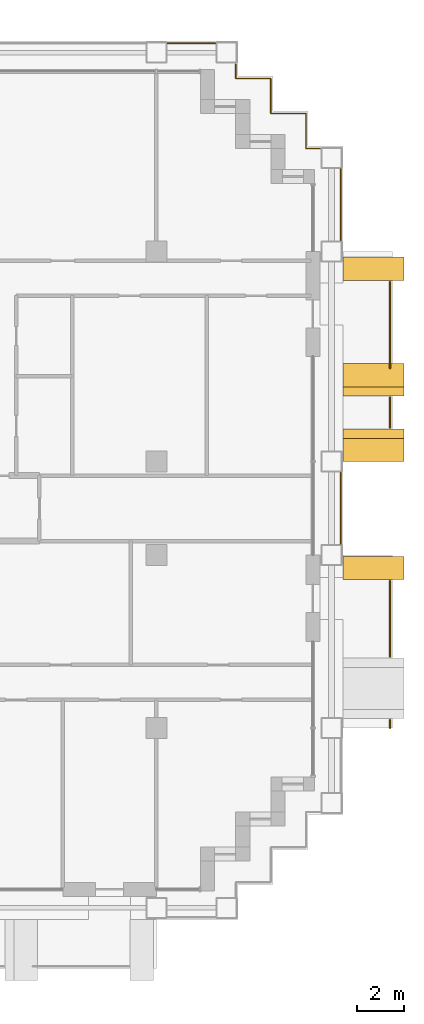
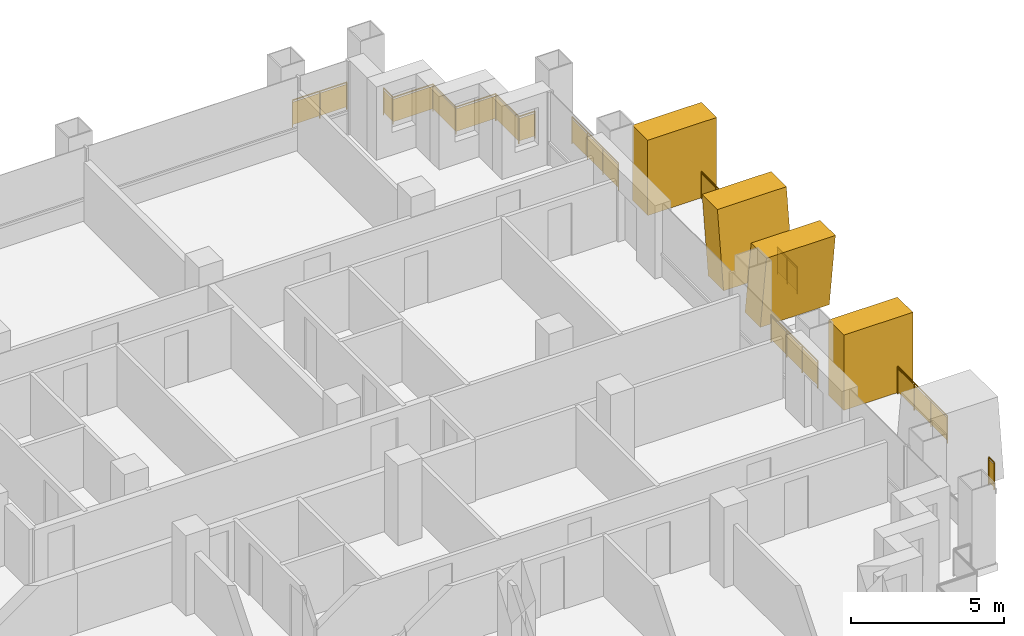
# One storey, part 19 of 19: 8 railings, 4 shading devices.
"""IFC4 building model written with IfcOpenShell, lengths in metres."""

from ifc_helpers import new_model, si_unit, direction, frame, origin, origin_2d, place, context, subcontext, project, spatial, polyline, rectangle, circle, outline, extrude, material, layer, layer_set, type_object, element, save


model = new_model("IFC4")

# Units and contexts
model_context = context("Model", 3, precision=1e-05, world=origin(), true_north=direction((0.0, 1.0)))
body_context = subcontext(model_context, "Body", "Model", "MODEL_VIEW")
ifc_project = project(units=[si_unit("LENGTHUNIT", "METRE"), si_unit("AREAUNIT", "SQUARE_METRE"), si_unit("VOLUMEUNIT", "CUBIC_METRE"), si_unit("PLANEANGLEUNIT", "RADIAN"), si_unit("MASSUNIT", "GRAM", prefix="KILO")], contexts=[model_context])

# Site, building, storey
site_placement = place(None, origin())
site = spatial("IfcSite", under=ifc_project, at=site_placement, CompositionType="ELEMENT")
building_placement = place(site_placement, origin())
building = spatial("IfcBuilding", under=site, at=building_placement, Name="Vidyagriha Tower", CompositionType="ELEMENT")
storey_placement = place(building_placement, frame((0.0, 0.0, 99.89990234375)))
storey = spatial("IfcBuildingStorey", under=building, at=storey_placement, Name="L26", CompositionType="ELEMENT", Elevation=99.89990234375)

# Railings
ifc_material_1 = material(Name="Steel ASTM A500 Grade C black painted", Category="steel")
railing_type_1 = type_object("IfcRailingType", Name="Balcony guard 1100", PredefinedType="BALUSTRADE", material=ifc_material_1)
railing_1_placement = place(storey_placement, frame((44.0, -9.39990234375, 0.0)))
element("IfcRailing", 1, at=railing_1_placement, inside=storey, type_object=railing_type_1, Name="Balcony guard L26 R30.1-1", PredefinedType="BALUSTRADE", context=body_context, shape_type="SweptSolid", body=[
    extrude(circle(Radius=0.02490234375, at=origin_2d()), frame((0.0, 0.0, 1.0751953125), z_axis=(0.0, 1.0, 0.0), x_axis=(-1.0, 0.0, 0.0)), (0.0, 0.0, 1.0), 0.349853515625),
    extrude(circle(Radius=0.02001953125, at=origin_2d()), origin(), (0.0, 0.0, 1.0), 1.050048828125),
    extrude(circle(Radius=0.02001953125, at=origin_2d()), frame((0.0, 0.349853515625, 0.0)), (0.0, 0.0, 1.0), 1.050048828125),
    extrude(rectangle(XDim=0.010009765625, YDim=0.900146484375, at=origin_2d()), frame((0.0, 0.0, 0.550048828125), z_axis=(0.0, 1.0, 0.0), x_axis=(-1.0, 0.0, 0.0)), (0.0, 0.0, 1.0), 0.349853515625),
])
railing_2_placement = place(storey_placement, frame((44.0, -6.35009765625, 0.0)))
element("IfcRailing", 2, at=railing_2_placement, inside=storey, type_object=railing_type_1, Name="Balcony guard L26 R30.1-2", PredefinedType="BALUSTRADE", context=body_context, shape_type="SweptSolid", body=[
    extrude(circle(Radius=0.02490234375, at=origin_2d()), frame((0.0, 0.0, 1.0751953125), z_axis=(0.0, 1.0, 0.0), x_axis=(-1.0, 0.0, 0.0)), (0.0, 0.0, 1.0), 3.25),
    extrude(circle(Radius=0.02001953125, at=origin_2d()), origin(), (0.0, 0.0, 1.0), 1.050048828125),
    extrude(circle(Radius=0.02001953125, at=origin_2d()), frame((0.0, 1.083251953125, 0.0)), (0.0, 0.0, 1.0), 1.050048828125),
    extrude(circle(Radius=0.02001953125, at=origin_2d()), frame((0.0, 2.166748046875, 0.0)), (0.0, 0.0, 1.0), 1.050048828125),
    extrude(circle(Radius=0.02001953125, at=origin_2d()), frame((0.0, 3.25, 0.0)), (0.0, 0.0, 1.0), 1.050048828125),
    extrude(rectangle(XDim=0.010009765625, YDim=0.900146484375, at=origin_2d()), frame((0.0, 0.0, 0.550048828125), z_axis=(0.0, 1.0, 0.0), x_axis=(-1.0, 0.0, 0.0)), (0.0, 0.0, 1.0), 3.25),
])
railing_3_placement = place(storey_placement, frame((44.0, 3.449951171875, 0.0)))
element("IfcRailing", 3, at=railing_3_placement, inside=storey, type_object=railing_type_1, Name="Balcony guard L26 R30.2-1", PredefinedType="BALUSTRADE", context=body_context, shape_type="SweptSolid", body=[
    extrude(circle(Radius=0.02490234375, at=origin_2d()), frame((0.0, 0.0, 1.0751953125), z_axis=(0.0, 1.0, 0.0), x_axis=(-1.0, 0.0, 0.0)), (0.0, 0.0, 1.0), 1.300048828125),
    extrude(circle(Radius=0.02001953125, at=origin_2d()), origin(), (0.0, 0.0, 1.0), 1.050048828125),
    extrude(circle(Radius=0.02001953125, at=origin_2d()), frame((0.0, 0.64990234375, 0.0)), (0.0, 0.0, 1.0), 1.050048828125),
    extrude(circle(Radius=0.02001953125, at=origin_2d()), frame((0.0, 1.300048828125, 0.0)), (0.0, 0.0, 1.0), 1.050048828125),
    extrude(rectangle(XDim=0.010009765625, YDim=0.900146484375, at=origin_2d()), frame((0.0, 0.0, 0.550048828125), z_axis=(0.0, 1.0, 0.0), x_axis=(-1.0, 0.0, 0.0)), (0.0, 0.0, 1.0), 1.300048828125),
])
railing_4_placement = place(storey_placement, frame((44.0, 6.00341796875, 0.0)))
element("IfcRailing", 4, at=railing_4_placement, inside=storey, type_object=railing_type_1, Name="Balcony guard L26 R30.2-2", PredefinedType="BALUSTRADE", context=body_context, shape_type="SweptSolid", body=[
    extrude(circle(Radius=0.02490234375, at=origin_2d()), frame((0.0, 0.0, 1.0751953125), z_axis=(0.0, 1.0, 0.0), x_axis=(-1.0, 0.0, 0.0)), (0.0, 0.0, 1.0), 3.696533203125),
    extrude(circle(Radius=0.02001953125, at=origin_2d()), origin(), (0.0, 0.0, 1.0), 1.050048828125),
    extrude(circle(Radius=0.02001953125, at=origin_2d()), frame((0.0, 0.924072265625, 0.0)), (0.0, 0.0, 1.0), 1.050048828125),
    extrude(circle(Radius=0.02001953125, at=origin_2d()), frame((0.0, 1.84814453125, 0.0)), (0.0, 0.0, 1.0), 1.050048828125),
    extrude(circle(Radius=0.02001953125, at=origin_2d()), frame((0.0, 2.7724609375, 0.0)), (0.0, 0.0, 1.0), 1.050048828125),
    extrude(circle(Radius=0.02001953125, at=origin_2d()), frame((0.0, 3.696533203125, 0.0)), (0.0, 0.0, 1.0), 1.050048828125),
    extrude(rectangle(XDim=0.010009765625, YDim=0.900146484375, at=origin_2d()), frame((0.0, 0.0, 0.550048828125), z_axis=(0.0, 1.0, 0.0), x_axis=(-1.0, 0.0, 0.0)), (0.0, 0.0, 1.0), 3.696533203125),
])

# Shading devices
ifc_material_2 = material(Name="Precast concrete C40/50 with buff brick facing", Category="concrete")
ifc_layer_1 = layer(ifc_material_2, 1.0)
ifc_layer_set_1 = layer_set([ifc_layer_1], Name="Precast concrete C40/50 with buff brick facing")
shading_device_type_1 = type_object("IfcShadingDeviceType", Name="Brick-faced blade fin arm leaning 8 degrees", PredefinedType="USERDEFINED", material=ifc_layer_set_1)
shading_device_1_placement = place(storey_placement, frame((43.300048828125, 4.800048828125, 0.0), z_axis=(0.0, 0.0, 1.0), x_axis=(0.0, 1.0, 0.0)))
element("IfcShadingDevice", 5, at=shading_device_1_placement, inside=storey, type_object=shading_device_type_1, Name="Leaning blade fin L26 R30.1350a", ObjectType="BLADE FIN", PredefinedType="USERDEFINED", context=body_context, shape_type="SweptSolid", body=[
    extrude(outline(polyline([(0.0, 0.0), (1.0, 0.0), (1.39990234375, 3.0), (0.39990234375, 3.0), (0.0, 0.0)])), frame((0.0, 1.300048828125, 0.0), z_axis=(0.0, -1.0, 0.0), x_axis=(1.0, 0.0, 0.0)), (0.0, 0.0, 1.0), 2.60009765625),
])
shading_device_2_placement = place(storey_placement, frame((43.300048828125, 2.0, 0.0), z_axis=(0.0, 0.0, 1.0), x_axis=(0.0, 1.0, 0.0)))
element("IfcShadingDevice", 6, at=shading_device_2_placement, inside=storey, type_object=shading_device_type_1, Name="Leaning blade fin L26 R30.1350b", ObjectType="BLADE FIN", PredefinedType="USERDEFINED", context=body_context, shape_type="SweptSolid", body=[
    extrude(outline(polyline([(0.39990234375, 0.0), (1.39990234375, 0.0), (1.0, 3.0), (0.0, 3.0), (0.39990234375, 0.0)])), frame((0.0, 1.300048828125, 0.0), z_axis=(0.0, -1.0, 0.0), x_axis=(1.0, 0.0, 0.0)), (0.0, 0.0, 1.0), 2.60009765625),
])
ifc_material_3 = material(Name="Precast concrete C40/50 with buff brick facing", Category="concrete")
ifc_layer_2 = layer(ifc_material_3, 1.0)
ifc_layer_set_2 = layer_set([ifc_layer_2], Name="Precast concrete C40/50 with buff brick facing")
shading_device_type_2 = type_object("IfcShadingDeviceType", Name="Brick-faced blade fin stem 1000", PredefinedType="USERDEFINED", material=ifc_layer_set_2)
for number, where, z_axis, x_axis, name in (
    (7, (43.300048828125, -3.050048828125, 0.0), (0.0, 0.0, 1.0), (0.0, 1.0, 0.0), "Stem blade fin L26 R30.950a"),
    (8, (43.300048828125, 9.75, 0.0), (0.0, 0.0, 1.0), (0.0, 1.0, 0.0), "Stem blade fin L26 R30.2250a"),
):
    element("IfcShadingDevice", number, at=place(storey_placement, frame(where, z_axis=z_axis, x_axis=x_axis)), inside=storey, type_object=shading_device_type_2, Name=name, ObjectType="BLADE FIN", PredefinedType="USERDEFINED", context=body_context, shape_type="SweptSolid", body=[
        extrude(outline(polyline([(0.0, 0.0), (1.0, 0.0), (1.0, 3.0), (0.0, 3.0), (0.0, 0.0)])), frame((0.0, 1.300048828125, 0.0), z_axis=(0.0, -1.0, 0.0), x_axis=(1.0, 0.0, 0.0)), (0.0, 0.0, 1.0), 2.60009765625),
    ])

# Railings
ifc_material_4 = material(Name="Steel ASTM A500 Grade C black painted", Category="steel")
railing_type_2 = type_object("IfcRailingType", Name="Gallery guard 1100", PredefinedType="GUARDRAIL", material=ifc_material_4)
railing_5_placement = place(storey_placement, frame((34.47998046875, 19.89990234375, 0.0)))
element("IfcRailing", 9, at=railing_5_placement, inside=storey, type_object=railing_type_2, Name="Gallery guard L26 13", PredefinedType="GUARDRAIL", context=body_context, shape_type="SweptSolid", body=[
    extrude(circle(Radius=0.02490234375, at=origin_2d()), frame((0.0, 0.0, 1.0751953125), z_axis=(1.0, 0.0, 0.0), x_axis=(0.0, 1.0, 0.0)), (0.0, 0.0, 1.0), 2.0400390625),
    extrude(circle(Radius=0.02001953125, at=origin_2d()), origin(), (0.0, 0.0, 1.0), 1.050048828125),
    extrude(circle(Radius=0.02001953125, at=origin_2d()), frame((1.02001953125, 0.0, 0.0)), (0.0, 0.0, 1.0), 1.050048828125),
    extrude(circle(Radius=0.02001953125, at=origin_2d()), frame((2.0400390625, 0.0, 0.0)), (0.0, 0.0, 1.0), 1.050048828125),
    extrude(rectangle(XDim=0.010009765625, YDim=0.900146484375, at=origin_2d()), frame((0.0, 0.0, 0.550048828125), z_axis=(1.0, 0.0, 0.0), x_axis=(0.0, 1.0, 0.0)), (0.0, 0.0, 1.0), 2.0400390625),
])
railing_6_placement = place(storey_placement, frame((37.39990234375, 19.02001953125, 0.0)))
element("IfcRailing", 10, at=railing_6_placement, inside=storey, type_object=railing_type_2, Name="Gallery guard L26 15", PredefinedType="GUARDRAIL", context=body_context, shape_type="SweptSolid", body=[
    extrude(circle(Radius=0.02490234375, at=origin_2d()), frame((0.0, 0.0, 1.0751953125), z_axis=(0.0, -1.0, 0.0), x_axis=(1.0, 0.0, 0.0)), (0.0, 0.0, 1.0), 0.6201171875),
    extrude(circle(Radius=0.02490234375, at=origin_2d()), frame((0.0, -0.6201171875, 1.0751953125), z_axis=(1.0, 0.0, 0.0), x_axis=(0.0, 1.0, 0.0)), (0.0, 0.0, 1.0), 1.5),
    extrude(circle(Radius=0.02490234375, at=origin_2d()), frame((1.5, -0.6201171875, 1.0751953125), z_axis=(0.0, -1.0, 0.0), x_axis=(1.0, 0.0, 0.0)), (0.0, 0.0, 1.0), 1.5),
    extrude(circle(Radius=0.02490234375, at=origin_2d()), frame((1.5, -2.1201171875, 1.0751953125), z_axis=(1.0, 0.0, 0.0), x_axis=(0.0, 1.0, 0.0)), (0.0, 0.0, 1.0), 1.5),
    extrude(circle(Radius=0.02490234375, at=origin_2d()), frame((3.0, -2.1201171875, 1.0751953125), z_axis=(0.0, -1.0, 0.0), x_axis=(1.0, 0.0, 0.0)), (0.0, 0.0, 1.0), 1.5),
    extrude(circle(Radius=0.02490234375, at=origin_2d()), frame((3.0, -3.6201171875, 1.0751953125), z_axis=(1.0, 0.0, 0.0), x_axis=(0.0, 1.0, 0.0)), (0.0, 0.0, 1.0), 0.6201171875),
    extrude(circle(Radius=0.02001953125, at=origin_2d()), origin(), (0.0, 0.0, 1.0), 1.050048828125),
    extrude(circle(Radius=0.02001953125, at=origin_2d()), frame((0.0, -0.6201171875, 0.0)), (0.0, 0.0, 1.0), 1.050048828125),
    extrude(circle(Radius=0.02001953125, at=origin_2d()), frame((1.5, -0.6201171875, 0.0)), (0.0, 0.0, 1.0), 1.050048828125),
    extrude(circle(Radius=0.02001953125, at=origin_2d()), frame((1.5, -2.1201171875, 0.0)), (0.0, 0.0, 1.0), 1.050048828125),
    extrude(circle(Radius=0.02001953125, at=origin_2d()), frame((3.0, -2.1201171875, 0.0)), (0.0, 0.0, 1.0), 1.050048828125),
    extrude(circle(Radius=0.02001953125, at=origin_2d()), frame((3.0, -3.6201171875, 0.0)), (0.0, 0.0, 1.0), 1.050048828125),
    extrude(circle(Radius=0.02001953125, at=origin_2d()), frame((3.6201171875, -3.6201171875, 0.0)), (0.0, 0.0, 1.0), 1.050048828125),
    extrude(rectangle(XDim=0.010009765625, YDim=0.900146484375, at=origin_2d()), frame((0.0, 0.0, 0.550048828125), z_axis=(0.0, -1.0, 0.0), x_axis=(1.0, 0.0, 0.0)), (0.0, 0.0, 1.0), 0.6201171875),
    extrude(rectangle(XDim=0.010009765625, YDim=0.900146484375, at=origin_2d()), frame((0.0, -0.6201171875, 0.550048828125), z_axis=(1.0, 0.0, 0.0), x_axis=(0.0, 1.0, 0.0)), (0.0, 0.0, 1.0), 1.5),
    extrude(rectangle(XDim=0.010009765625, YDim=0.900146484375, at=origin_2d()), frame((1.5, -0.6201171875, 0.550048828125), z_axis=(0.0, -1.0, 0.0), x_axis=(1.0, 0.0, 0.0)), (0.0, 0.0, 1.0), 1.5),
    extrude(rectangle(XDim=0.010009765625, YDim=0.900146484375, at=origin_2d()), frame((1.5, -2.1201171875, 0.550048828125), z_axis=(1.0, 0.0, 0.0), x_axis=(0.0, 1.0, 0.0)), (0.0, 0.0, 1.0), 1.5),
    extrude(rectangle(XDim=0.010009765625, YDim=0.900146484375, at=origin_2d()), frame((3.0, -2.1201171875, 0.550048828125), z_axis=(0.0, -1.0, 0.0), x_axis=(1.0, 0.0, 0.0)), (0.0, 0.0, 1.0), 1.5),
    extrude(rectangle(XDim=0.010009765625, YDim=0.900146484375, at=origin_2d()), frame((3.0, -3.6201171875, 0.550048828125), z_axis=(1.0, 0.0, 0.0), x_axis=(0.0, 1.0, 0.0)), (0.0, 0.0, 1.0), 0.6201171875),
])
for number, where, name in (
    (11, (41.89990234375, 1.52001953125, 0.0), "Gallery guard L26 17"),
    (12, (41.89990234375, 14.52001953125, 0.0), "Gallery guard L26 18"),
):
    element("IfcRailing", number, at=place(storey_placement, frame(where)), inside=storey, type_object=railing_type_2, Name=name, PredefinedType="GUARDRAIL", context=body_context, shape_type="SweptSolid", body=[
        extrude(circle(Radius=0.02490234375, at=origin_2d()), frame((0.0, 0.0, 1.0751953125), z_axis=(0.0, -1.0, 0.0), x_axis=(1.0, 0.0, 0.0)), (0.0, 0.0, 1.0), 3.0400390625),
        extrude(circle(Radius=0.02001953125, at=origin_2d()), origin(), (0.0, 0.0, 1.0), 1.050048828125),
        extrude(circle(Radius=0.02001953125, at=origin_2d()), frame((0.0, -1.013427734375, 0.0)), (0.0, 0.0, 1.0), 1.050048828125),
        extrude(circle(Radius=0.02001953125, at=origin_2d()), frame((0.0, -2.026611328125, 0.0)), (0.0, 0.0, 1.0), 1.050048828125),
        extrude(circle(Radius=0.02001953125, at=origin_2d()), frame((0.0, -3.0400390625, 0.0)), (0.0, 0.0, 1.0), 1.050048828125),
        extrude(rectangle(XDim=0.010009765625, YDim=0.900146484375, at=origin_2d()), frame((0.0, 0.0, 0.550048828125), z_axis=(0.0, -1.0, 0.0), x_axis=(1.0, 0.0, 0.0)), (0.0, 0.0, 1.0), 3.0400390625),
    ])

save(model, "model.ifc")
